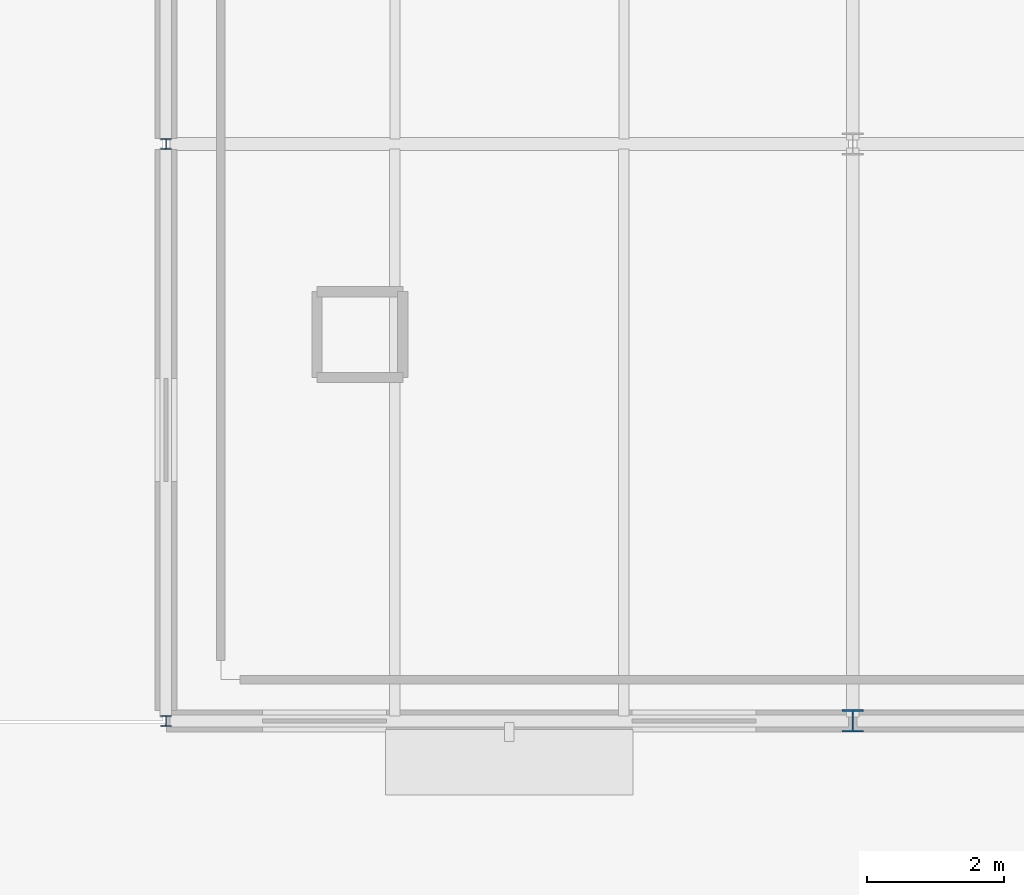
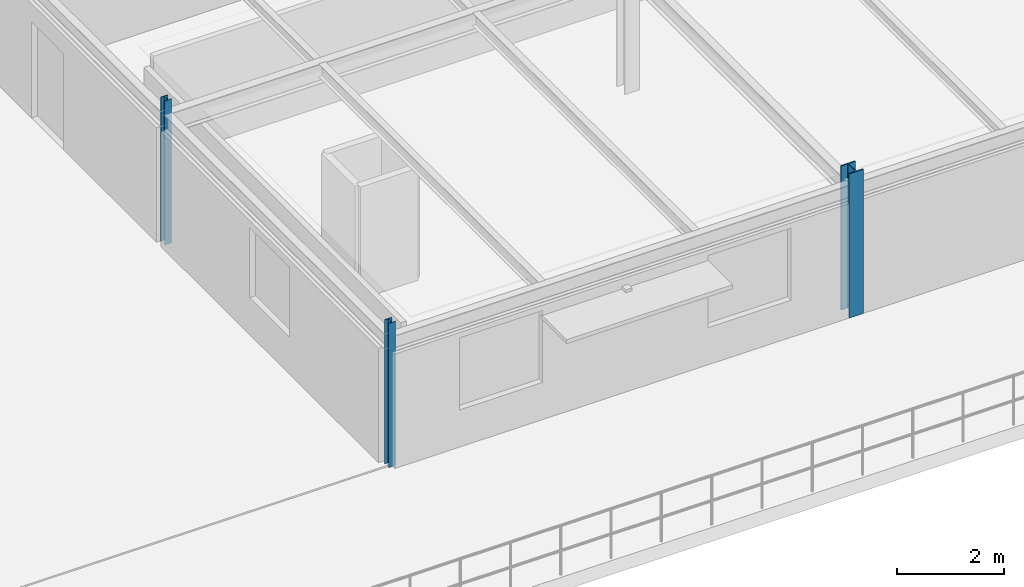
# One storey, part 1 of 23: 3 columns.
"""IFC4 building model written with IfcOpenShell, lengths in metres."""

from ifc_helpers import new_model, si_unit, derived_unit, direction, frame, origin, origin_2d_with_axis, place, context, subcontext, project, spatial, i_section, extrude, material, material_profile, profile_set, type_object, element, save


model = new_model("IFC4")

# Units and contexts
model_context = context("Model", 3, precision=1e-05, world=origin(), true_north=direction((0.0, 1.0)))
body_context = subcontext(model_context, "Body", "Model", "MODEL_VIEW")
ifc_project = project(units=[si_unit("LENGTHUNIT", "METRE"), si_unit("AREAUNIT", "SQUARE_METRE"), si_unit("VOLUMEUNIT", "CUBIC_METRE"), si_unit("PLANEANGLEUNIT", "RADIAN"), si_unit("MASSUNIT", "GRAM", prefix="KILO"), derived_unit("THERMALTRANSMITTANCEUNIT", [(si_unit("POWERUNIT", "WATT"), 1), (si_unit("LENGTHUNIT", "METRE"), -2), (si_unit("THERMODYNAMICTEMPERATUREUNIT", "KELVIN"), -1)])], contexts=[model_context])

# Site, building, storey
site_placement = place(None, origin())
site = spatial("IfcSite", under=ifc_project, at=site_placement, CompositionType="ELEMENT")
building_placement = place(site_placement, origin())
building = spatial("IfcBuilding", under=site, at=building_placement, Name="Cinnabar Yard Market Hall", CompositionType="ELEMENT")
storey_placement = place(building_placement, frame((0.0, 0.0, 12.0)))
storey = spatial("IfcBuildingStorey", under=building, at=storey_placement, Name="L03", CompositionType="ELEMENT", Elevation=12.0)

# Columns
ifc_material_1 = material(Name="Steel Grade 350 (350 MPa)", Category="steel")
ifc_material_profile_1 = material_profile(ifc_material_1, i_section(OverallWidth=0.311279296875, OverallDepth=0.3271484375, WebThickness=0.015625, FlangeThickness=0.02490234375, FilletRadius=0.0166015625, at=origin_2d_with_axis()), Name="310UC158")
ifc_profile_set_1 = profile_set([ifc_material_profile_1], Name="Steel Grade 350 (350 MPa)")
column_type_1 = type_object("IfcColumnType", Name="COL-C06E", PredefinedType="COLUMN", material=ifc_profile_set_1)
column_1_placement = place(storey_placement, frame((86.0, 112.800048828125, 0.0), z_axis=(0.0, 0.0, 1.0), x_axis=(1.0, 0.0, 0.0)))
element("IfcColumn", 1, at=column_1_placement, inside=storey, type_object=column_type_1, Name="Wing Column V3-03-02 L03", PredefinedType="COLUMN", context=body_context, shape_type="SweptSolid", body=[
    extrude(i_section(OverallWidth=0.311279296875, OverallDepth=0.3271484375, WebThickness=0.015625, FlangeThickness=0.02490234375, FilletRadius=0.0166015625, at=origin_2d_with_axis()), origin(), (0.0, 0.0, 1.0), 3.300048828125),
])
ifc_material_2 = material(Name="Steel Grade 300 (300 MPa)", Category="steel")
ifc_material_profile_2 = material_profile(ifc_material_2, i_section(OverallWidth=0.15283203125, OverallDepth=0.15771484375, WebThickness=0.006591796875, FlangeThickness=0.009521484375, FilletRadius=0.0087890625, at=origin_2d_with_axis()), Name="150UC30.0")
ifc_profile_set_2 = profile_set([ifc_material_profile_2], Name="Steel Grade 300 (300 MPa)")
column_type_2 = type_object("IfcColumnType", Name="COL-C18E", PredefinedType="COLUMN", material=ifc_profile_set_2)
column_2_placement = place(storey_placement, frame((76.0, 112.800048828125, 0.0), z_axis=(0.0, 0.0, 1.0), x_axis=(1.0, 0.0, 0.0)))
element("IfcColumn", 2, at=column_2_placement, inside=storey, type_object=column_type_2, Name="Wing Column V3-02-02 L03", PredefinedType="COLUMN", context=body_context, shape_type="SweptSolid", body=[
    extrude(i_section(OverallWidth=0.15283203125, OverallDepth=0.15771484375, WebThickness=0.006591796875, FlangeThickness=0.009521484375, FilletRadius=0.0087890625, at=origin_2d_with_axis()), origin(), (0.0, 0.0, 1.0), 3.300048828125),
])
ifc_material_profile_3 = material_profile(ifc_material_2, i_section(OverallWidth=0.152099609375, OverallDepth=0.15234375, WebThickness=0.005859375, FlangeThickness=0.0068359375, FilletRadius=0.0087890625, at=origin_2d_with_axis()), Name="150UC23.4")
ifc_profile_set_3 = profile_set([ifc_material_profile_3], Name="Steel Grade 300 (300 MPa)")
column_type_3 = type_object("IfcColumnType", Name="COL-C19E", PredefinedType="COLUMN", material=ifc_profile_set_3)
column_3_placement = place(storey_placement, frame((76.0, 121.199951171875, 0.0), z_axis=(0.0, 0.0, 1.0), x_axis=(1.0, 0.0, 0.0)))
element("IfcColumn", 3, at=column_3_placement, inside=storey, type_object=column_type_3, Name="Wing Column V3-02-03 L03", PredefinedType="COLUMN", context=body_context, shape_type="SweptSolid", body=[
    extrude(i_section(OverallWidth=0.152099609375, OverallDepth=0.15234375, WebThickness=0.005859375, FlangeThickness=0.0068359375, FilletRadius=0.0087890625, at=origin_2d_with_axis()), origin(), (0.0, 0.0, 1.0), 3.300048828125),
])

save(model, "model.ifc")
